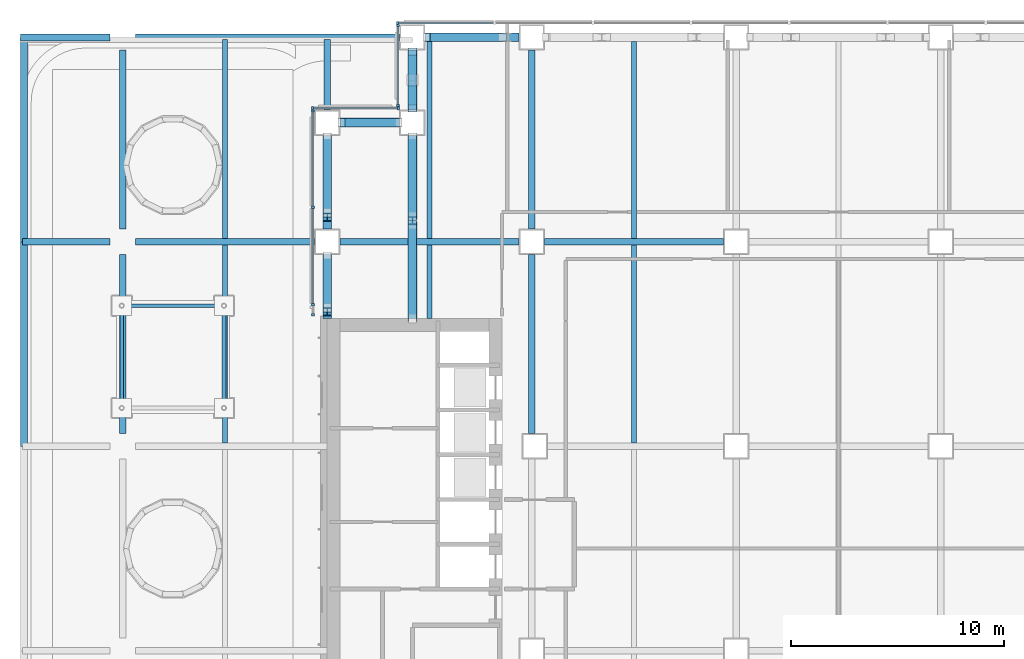
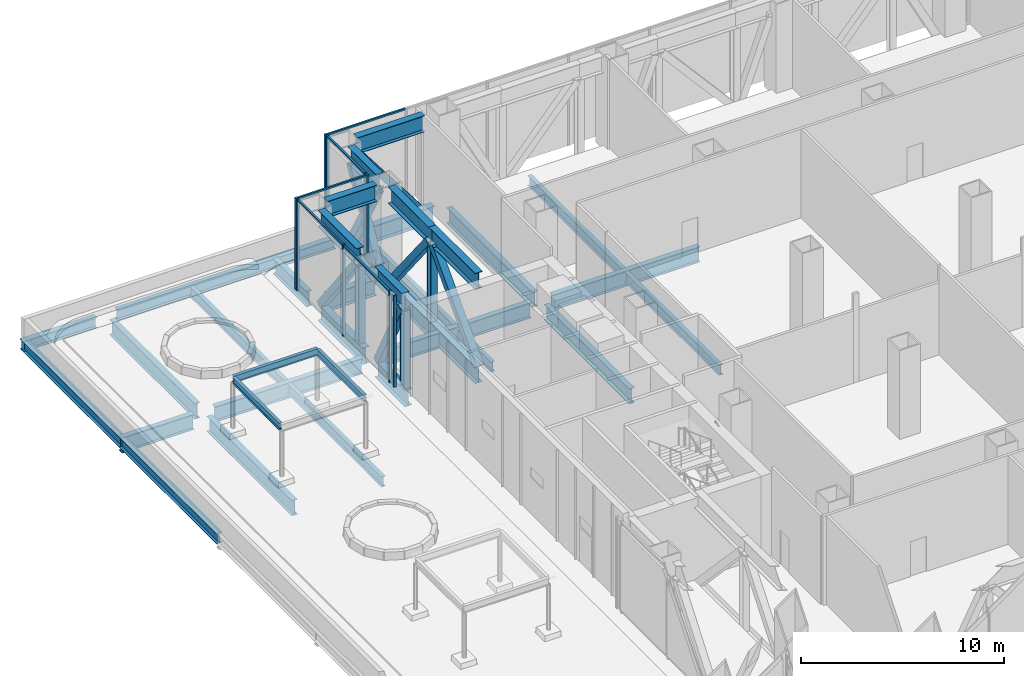
# One storey, part 11 of 39: 39 members, 23 beams, 4 elements without a shape of their own.
"""IFC4 building model written with IfcOpenShell, lengths in metres."""

from ifc_helpers import new_model, si_unit, direction, frame, origin, origin_2d, place, context, subcontext, project, spatial, rectangle, hollow_rectangle, i_section, extrude, material, material_profile, profile_set, type_object, element, aggregate, save


model = new_model("IFC4")

# Units and contexts
model_context = context("Model", 3, precision=1e-05, world=origin(), true_north=direction((0.0, 1.0)))
body_context = subcontext(model_context, "Body", "Model", "MODEL_VIEW")
ifc_project = project(units=[si_unit("LENGTHUNIT", "METRE"), si_unit("AREAUNIT", "SQUARE_METRE"), si_unit("VOLUMEUNIT", "CUBIC_METRE"), si_unit("PLANEANGLEUNIT", "RADIAN"), si_unit("MASSUNIT", "GRAM", prefix="KILO")], contexts=[model_context])

# Site, building, storey
site_placement = place(None, origin())
site = spatial("IfcSite", under=ifc_project, at=site_placement, CompositionType="ELEMENT")
building_placement = place(site_placement, origin())
building = spatial("IfcBuilding", under=site, at=building_placement, Name="Cobrizo Arcos Hotel Tower", CompositionType="ELEMENT")
storey_placement = place(building_placement, frame((0.0, 0.0, 33.5)))
storey = spatial("IfcBuildingStorey", under=building, at=storey_placement, Name="L06", CompositionType="ELEMENT", Elevation=33.5)

# Curtain wall, member
ifc_material_1 = material(Name="Aluminium 6063-T6 anodised bronze", Category="aluminium")
curtain_wall_type = type_object("IfcCurtainWallType", Name="CW-D plant louvre wall", PredefinedType="NOTDEFINED", material=ifc_material_1)
curtain_wall_1_placement = place(storey_placement, origin())
curtain_wall_1 = element("IfcCurtainWall", 1, at=curtain_wall_1_placement, inside=storey, type_object=curtain_wall_type, Name="CW-D L06 N face", PredefinedType="NOTDEFINED")
ifc_material_profile_1 = material_profile(ifc_material_1, rectangle(XDim=0.14990234375, YDim=0.10009765625, at=origin_2d()), Name="CW-D mullion 150x100")
ifc_profile_set_1 = profile_set([ifc_material_profile_1], Name="Aluminium 6063-T6 anodised bronze")
member_type_1 = type_object("IfcMemberType", Name="CW-D mullion 150x100", PredefinedType="MULLION", material=ifc_profile_set_1)
member_1_placement = place(storey_placement, frame((-20.699951171875, 24.675048828125, 0.0), z_axis=(0.0, 0.0, 1.0), x_axis=(0.0, 1.0, 0.0)))
member_1 = element("IfcMember", 2, at=member_1_placement, type_object=member_type_1, Name="CW-D mullion 10", PredefinedType="MULLION", context=body_context, shape_type="SweptSolid", body=[
    extrude(rectangle(XDim=0.14990234375, YDim=0.10009765625, at=origin_2d()), origin(), (0.0, 0.0, 1.0), 5.5),
])

# Curtain wall, members
curtain_wall_2_placement = place(storey_placement, origin())
curtain_wall_2 = element("IfcCurtainWall", 3, at=curtain_wall_2_placement, inside=storey, type_object=curtain_wall_type, Name="CW-D L06 W face", PredefinedType="NOTDEFINED")
member_2_placement = place(storey_placement, frame((-20.675048828125, 24.550048828125, 0.0), z_axis=(0.0, 0.0, 1.0), x_axis=(-1.0, 0.0, 0.0)))
member_2 = element("IfcMember", 4, at=member_2_placement, type_object=member_type_1, Name="CW-D mullion 1", PredefinedType="MULLION", context=body_context, shape_type="SweptSolid", body=[
    extrude(rectangle(XDim=0.14990234375, YDim=0.10009765625, at=origin_2d()), origin(), (0.0, 0.0, 1.0), 5.5),
])
member_3_placement = place(storey_placement, frame((-20.675048828125, 20.800048828125, 0.0), z_axis=(0.0, 0.0, 1.0), x_axis=(-1.0, 0.0, 0.0)))
member_3 = element("IfcMember", 5, at=member_3_placement, type_object=member_type_1, Name="CW-D mullion 2", PredefinedType="MULLION", context=body_context, shape_type="SweptSolid", body=[
    extrude(rectangle(XDim=0.14990234375, YDim=0.10009765625, at=origin_2d()), origin(), (0.0, 0.0, 1.0), 5.5),
])

curtain_wall_3_placement = place(storey_placement, origin())
curtain_wall_3 = element("IfcCurtainWall", 6, at=curtain_wall_3_placement, inside=storey, type_object=curtain_wall_type, Name="CW-D L06 N face", PredefinedType="NOTDEFINED")
member_4_placement = place(storey_placement, frame((-20.64990234375, 20.675048828125, 0.0), z_axis=(0.0, 0.0, 1.0), x_axis=(0.0, 1.0, 0.0)))
member_4 = element("IfcMember", 7, at=member_4_placement, type_object=member_type_1, Name="CW-D mullion 1", PredefinedType="MULLION", context=body_context, shape_type="SweptSolid", body=[
    extrude(rectangle(XDim=0.14990234375, YDim=0.10009765625, at=origin_2d()), origin(), (0.0, 0.0, 1.0), 5.5),
])
member_5_placement = place(storey_placement, frame((-24.699951171875, 20.675048828125, 0.0), z_axis=(0.0, 0.0, 1.0), x_axis=(0.0, 1.0, 0.0)))
member_5 = element("IfcMember", 8, at=member_5_placement, type_object=member_type_1, Name="CW-D mullion 2", PredefinedType="MULLION", context=body_context, shape_type="SweptSolid", body=[
    extrude(rectangle(XDim=0.14990234375, YDim=0.10009765625, at=origin_2d()), origin(), (0.0, 0.0, 1.0), 5.5),
])

curtain_wall_4_placement = place(storey_placement, origin())
curtain_wall_4 = element("IfcCurtainWall", 9, at=curtain_wall_4_placement, inside=storey, type_object=curtain_wall_type, Name="CW-D L06 W face", PredefinedType="NOTDEFINED")
member_6_placement = place(storey_placement, frame((-24.675048828125, 20.550048828125, 0.0), z_axis=(0.0, 0.0, 1.0), x_axis=(-1.0, 0.0, 0.0)))
member_6 = element("IfcMember", 10, at=member_6_placement, type_object=member_type_1, Name="CW-D mullion 1", PredefinedType="MULLION", context=body_context, shape_type="SweptSolid", body=[
    extrude(rectangle(XDim=0.14990234375, YDim=0.10009765625, at=origin_2d()), origin(), (0.0, 0.0, 1.0), 5.5),
])
member_7_placement = place(storey_placement, frame((-24.675048828125, 16.022216796875, 0.0), z_axis=(0.0, 0.0, 1.0), x_axis=(-1.0, 0.0, 0.0)))
member_7 = element("IfcMember", 11, at=member_7_placement, type_object=member_type_1, Name="CW-D mullion 2", PredefinedType="MULLION", context=body_context, shape_type="SweptSolid", body=[
    extrude(rectangle(XDim=0.14990234375, YDim=0.10009765625, at=origin_2d()), origin(), (0.0, 0.0, 1.0), 5.5),
])
member_8_placement = place(storey_placement, frame((-24.675048828125, 11.4443359375, 0.0), z_axis=(0.0, 0.0, 1.0), x_axis=(-1.0, 0.0, 0.0)))
member_8 = element("IfcMember", 12, at=member_8_placement, type_object=member_type_1, Name="CW-D mullion 3", PredefinedType="MULLION", context=body_context, shape_type="SweptSolid", body=[
    extrude(rectangle(XDim=0.14990234375, YDim=0.10009765625, at=origin_2d()), origin(), (0.0, 0.0, 1.0), 5.5),
])
member_9_placement = place(storey_placement, frame((-24.675048828125, 10.974365234375, 0.0), z_axis=(0.0, 0.0, 1.0), x_axis=(-1.0, 0.0, 0.0)))
member_9 = element("IfcMember", 13, at=member_9_placement, type_object=member_type_1, Name="CW-D mullion 4", PredefinedType="MULLION", context=body_context, shape_type="SweptSolid", body=[
    extrude(rectangle(XDim=0.14990234375, YDim=0.10009765625, at=origin_2d()), origin(), (0.0, 0.0, 1.0), 5.5),
])

# Member
ifc_material_profile_2 = material_profile(ifc_material_1, rectangle(XDim=0.10009765625, YDim=0.10009765625, at=origin_2d()), Name="CW-D transom 100x100")
ifc_profile_set_2 = profile_set([ifc_material_profile_2], Name="Aluminium 6063-T6 anodised bronze")
member_type_2 = type_object("IfcMemberType", Name="CW-D transom 100x100", PredefinedType="USERDEFINED", material=ifc_profile_set_2)
member_10_placement = place(storey_placement, frame((-16.18896484375, 24.675048828125, 5.449951171875), z_axis=(-1.0, 0.0, 0.0), x_axis=(0.0, -1.0, 0.0)))
member_10 = element("IfcMember", 14, at=member_10_placement, type_object=member_type_2, Name="CW-D transom 350", ObjectType="TRANSOM", PredefinedType="USERDEFINED", context=body_context, shape_type="SweptSolid", body=[
    extrude(rectangle(XDim=0.10009765625, YDim=0.10009765625, at=origin_2d()), origin(), (0.0, 0.0, 1.0), 4.4609375),
])

aggregate(curtain_wall_1, [member_1, member_10])

member_11_placement = place(storey_placement, frame((-20.675048828125, 24.5, 5.449951171875), z_axis=(0.0, -1.0, 0.0), x_axis=(1.0, 0.0, 0.0)))
member_11 = element("IfcMember", 15, at=member_11_placement, type_object=member_type_2, Name="CW-D transom 351", ObjectType="TRANSOM", PredefinedType="USERDEFINED", context=body_context, shape_type="SweptSolid", body=[
    extrude(rectangle(XDim=0.10009765625, YDim=0.10009765625, at=origin_2d()), origin(), (0.0, 0.0, 1.0), 3.64990234375),
])

aggregate(curtain_wall_2, [member_2, member_3, member_11])

member_12_placement = place(storey_placement, frame((-20.699951171875, 20.675048828125, 5.449951171875), z_axis=(-1.0, 0.0, 0.0), x_axis=(0.0, -1.0, 0.0)))
member_12 = element("IfcMember", 16, at=member_12_placement, type_object=member_type_2, Name="CW-D transom 352", ObjectType="TRANSOM", PredefinedType="USERDEFINED", context=body_context, shape_type="SweptSolid", body=[
    extrude(rectangle(XDim=0.10009765625, YDim=0.10009765625, at=origin_2d()), origin(), (0.0, 0.0, 1.0), 3.949951171875),
])

aggregate(curtain_wall_3, [member_4, member_5, member_12])

member_13_placement = place(storey_placement, frame((-24.675048828125, 20.5, 5.449951171875), z_axis=(0.0, -1.0, 0.0), x_axis=(1.0, 0.0, 0.0)))
member_13 = element("IfcMember", 17, at=member_13_placement, type_object=member_type_2, Name="CW-D transom 353", ObjectType="TRANSOM", PredefinedType="USERDEFINED", context=body_context, shape_type="SweptSolid", body=[
    extrude(rectangle(XDim=0.10009765625, YDim=0.10009765625, at=origin_2d()), origin(), (0.0, 0.0, 1.0), 4.427734375),
])

member_14_placement = place(storey_placement, frame((-24.675048828125, 15.97216796875, 5.449951171875), z_axis=(0.0, -1.0, 0.0), x_axis=(1.0, 0.0, 0.0)))
member_14 = element("IfcMember", 18, at=member_14_placement, type_object=member_type_2, Name="CW-D transom 354", ObjectType="TRANSOM", PredefinedType="USERDEFINED", context=body_context, shape_type="SweptSolid", body=[
    extrude(rectangle(XDim=0.10009765625, YDim=0.10009765625, at=origin_2d()), origin(), (0.0, 0.0, 1.0), 4.477783203125),
])

aggregate(curtain_wall_4, [member_6, member_7, member_8, member_9, member_13, member_14])

# Members
ifc_material_2 = material(Name="Steel ASTM A500 Grade C", Category="steel")
ifc_material_profile_3 = material_profile(ifc_material_2, hollow_rectangle(XDim=0.406494140625, YDim=0.406494140625, WallThickness=0.014892578125, at=origin_2d()), Name="HSS16X16X5/8")
ifc_profile_set_3 = profile_set([ifc_material_profile_3], Name="Steel ASTM A500 Grade C")
member_type_3 = type_object("IfcMemberType", Name="HSS16X16X5/8 truss diagonal", PredefinedType="BRACE", material=ifc_profile_set_3)
member_15_placement = place(storey_placement, frame((-15.756103515625, 24.0, -0.300048828125), z_axis=(-0.607544335185, 0.0, 0.794285767709), x_axis=(0.0, -1.0, 0.0)))
element("IfcMember", 19, at=member_15_placement, inside=storey, type_object=member_type_3, Name="Belt truss diagonal TD1, L06, no. 026", PredefinedType="BRACE", context=body_context, shape_type="SweptSolid", body=[
    extrude(hollow_rectangle(XDim=0.406494140625, YDim=0.406494140625, WallThickness=0.014892578125, at=origin_2d()), origin(), (0.0, 0.0, 1.0), 5.8662109375),
])
for number, where, z_axis, x_axis, name in (
    (20, (-20.0, 23.320068359375, -0.300048828125), (0.0, -0.492983815895, 0.870038480336), (1.0, 0.0, 0.0), "Belt truss diagonal TD1, L06, no. 027"),
    (21, (-20.679931640625, 20.0, -0.300048828125), (-0.492983815895, 0.0, 0.870038480336), (0.0, -1.0, 0.0), "Belt truss diagonal TD1, L06, no. 028"),
):
    element("IfcMember", number, at=place(storey_placement, frame(where, z_axis=z_axis, x_axis=x_axis)), inside=storey, type_object=member_type_3, Name=name, PredefinedType="BRACE", context=body_context, shape_type="SweptSolid", body=[
        extrude(hollow_rectangle(XDim=0.406494140625, YDim=0.406494140625, WallThickness=0.014892578125, at=origin_2d()), origin(), (0.0, 0.0, 1.0), 5.35546875),
    ])
member_16_placement = place(storey_placement, frame((-24.0, 19.320068359375, -0.300048828125), z_axis=(0.0, -0.607544335185, 0.794285767709), x_axis=(1.0, 0.0, 0.0)))
element("IfcMember", 22, at=member_16_placement, inside=storey, type_object=member_type_3, Name="Belt truss diagonal TD1, L06, no. 029", PredefinedType="BRACE", context=body_context, shape_type="SweptSolid", body=[
    extrude(hollow_rectangle(XDim=0.406494140625, YDim=0.406494140625, WallThickness=0.014892578125, at=origin_2d()), origin(), (0.0, 0.0, 1.0), 5.8662109375),
])
member_17_placement = place(storey_placement, frame((-24.0, 13.719970703125, -0.300048828125), z_axis=(0.0, -0.45925576927, 0.888304079914), x_axis=(1.0, 0.0, 0.0)))
element("IfcMember", 23, at=member_17_placement, inside=storey, type_object=member_type_3, Name="Belt truss diagonal TD1, L06, no. 030", PredefinedType="BRACE", context=body_context, shape_type="SweptSolid", body=[
    extrude(hollow_rectangle(XDim=0.406494140625, YDim=0.406494140625, WallThickness=0.014892578125, at=origin_2d()), origin(), (0.0, 0.0, 1.0), 5.245361328125),
])
member_18_placement = place(storey_placement, frame((-20.0, 10.800048828125, -0.300048828125), z_axis=(0.0, 0.68656871731, 0.72706491898), x_axis=(-1.0, 0.0, 0.0)))
element("IfcMember", 24, at=member_18_placement, inside=storey, type_object=member_type_3, Name="Outrigger diagonal TD1, L06, no. 010", PredefinedType="BRACE", context=body_context, shape_type="SweptSolid", body=[
    extrude(hollow_rectangle(XDim=0.406494140625, YDim=0.406494140625, WallThickness=0.014892578125, at=origin_2d()), origin(), (0.0, 0.0, 1.0), 6.408447265625),
])
member_19_placement = place(storey_placement, frame((-20.0, 15.60009765625, 4.359375), z_axis=(0.0, 0.623920728492, -0.781487635576), x_axis=(-1.0, 0.0, 0.0)))
element("IfcMember", 25, at=member_19_placement, inside=storey, type_object=member_type_3, Name="Outrigger diagonal TD1, L06, no. 011", PredefinedType="BRACE", context=body_context, shape_type="SweptSolid", body=[
    extrude(hollow_rectangle(XDim=0.406494140625, YDim=0.406494140625, WallThickness=0.014892578125, at=origin_2d()), origin(), (0.0, 0.0, 1.0), 5.962158203125),
])
for number, where, z_axis, x_axis, name in (
    (26, (-20.0, 20.679931640625, -0.300048828125), (0.0, 0.492975174057, 0.870043376944), (-1.0, 0.0, 0.0), "Outrigger diagonal TD1, L06, no. 012"),
    (27, (-20.0, 22.10205078125, 2.209716796875), (0.0, 0.492975174057, 0.870043376944), (-1.0, 0.0, 0.0), "Outrigger diagonal TD1, L06, no. 012b"),
):
    element("IfcMember", number, at=place(storey_placement, frame(where, z_axis=z_axis, x_axis=x_axis)), inside=storey, type_object=member_type_3, Name=name, PredefinedType="BRACE", context=body_context, shape_type="SweptSolid", body=[
        extrude(hollow_rectangle(XDim=0.406494140625, YDim=0.406494140625, WallThickness=0.014892578125, at=origin_2d()), origin(), (0.0, 0.0, 1.0), 2.470703125),
    ])
ifc_material_3 = material(Name="Steel ASTM A992 Grade 50", Category="steel")
ifc_material_profile_4 = material_profile(ifc_material_3, i_section(OverallWidth=0.373291015625, OverallDepth=0.373291015625, WebThickness=0.016357421875, FlangeThickness=0.026123046875, at=origin_2d()), Name="W14X132")
ifc_profile_set_4 = profile_set([ifc_material_profile_4], Name="Steel ASTM A992 Grade 50")
member_type_4 = type_object("IfcMemberType", Name="W14X132 truss post", PredefinedType="POST", material=ifc_profile_set_4)
for number, where, z_axis, x_axis, name in (
    (28, (-24.0, 15.555908203125, -0.300048828125), (0.0, 0.0, 1.0), (1.0, 0.0, 0.0), "Truss post TP1, L06, no. 021"),
    (29, (-24.0, 11.111083984375, -0.300048828125), (0.0, 0.0, 1.0), (1.0, 0.0, 0.0), "Truss post TP1, L06, no. 022"),
    (30, (-20.0, 15.39990234375, -0.300048828125), (0.0, 0.0, 1.0), (1.0, 0.0, 0.0), "Truss post TP1, L06, no. 028"),
):
    element("IfcMember", number, at=place(storey_placement, frame(where, z_axis=z_axis, x_axis=x_axis)), inside=storey, type_object=member_type_4, Name=name, PredefinedType="POST", context=body_context, shape_type="SweptSolid", body=[
        extrude(i_section(OverallWidth=0.373291015625, OverallDepth=0.373291015625, WebThickness=0.016357421875, FlangeThickness=0.026123046875, at=origin_2d()), origin(), (0.0, 0.0, 1.0), 4.659423828125),
    ])

# Beams
ifc_material_profile_5 = material_profile(ifc_material_3, i_section(OverallWidth=0.177734375, OverallDepth=0.406494140625, WebThickness=0.0078125, FlangeThickness=0.0126953125, at=origin_2d()), Name="W16X40")
ifc_profile_set_5 = profile_set([ifc_material_profile_5], Name="Steel ASTM A992 Grade 50")
beam_type_1 = type_object("IfcBeamType", Name="W16X40 pavilion beam", PredefinedType="BEAM", material=ifc_profile_set_5)
beam_1_placement = place(storey_placement, frame((-28.85009765625, 6.699951171875, 3.353271484375), z_axis=(0.0, 1.0, 0.0), x_axis=(-1.0, 0.0, 0.0)))
element("IfcBeam", 31, at=beam_1_placement, inside=storey, type_object=beam_type_1, Name="Pavilion 2 beam 2", PredefinedType="BEAM", context=body_context, shape_type="SweptSolid", body=[
    extrude(i_section(OverallWidth=0.177734375, OverallDepth=0.406494140625, WebThickness=0.0078125, FlangeThickness=0.0126953125, at=origin_2d()), origin(), (0.0, 0.0, 1.0), 4.60009765625),
])
beam_2_placement = place(storey_placement, frame((-28.85009765625, 11.39990234375, 3.353271484375), z_axis=(-1.0, 0.0, 0.0), x_axis=(0.0, -1.0, 0.0)))
element("IfcBeam", 32, at=beam_2_placement, inside=storey, type_object=beam_type_1, Name="Pavilion 2 beam 3", PredefinedType="BEAM", context=body_context, shape_type="SweptSolid", body=[
    extrude(i_section(OverallWidth=0.177734375, OverallDepth=0.406494140625, WebThickness=0.0078125, FlangeThickness=0.0126953125, at=origin_2d()), origin(), (0.0, 0.0, 1.0), 4.7998046875),
])
beam_3_placement = place(storey_placement, frame((-33.64990234375, 11.300048828125, 3.353271484375), z_axis=(0.0, -1.0, 0.0), x_axis=(1.0, 0.0, 0.0)))
element("IfcBeam", 33, at=beam_3_placement, inside=storey, type_object=beam_type_1, Name="Pavilion 2 beam 4", PredefinedType="BEAM", context=body_context, shape_type="SweptSolid", body=[
    extrude(i_section(OverallWidth=0.177734375, OverallDepth=0.406494140625, WebThickness=0.0078125, FlangeThickness=0.0126953125, at=origin_2d()), origin(), (0.0, 0.0, 1.0), 4.60009765625),
])
ifc_material_profile_6 = material_profile(ifc_material_3, i_section(OverallWidth=0.32763671875, OverallDepth=0.622314453125, WebThickness=0.015380859375, FlangeThickness=0.0244140625, at=origin_2d()), Name="W24X131")
ifc_profile_set_6 = profile_set([ifc_material_profile_6], Name="Steel ASTM A992 Grade 50")
beam_type_2 = type_object("IfcBeamType", Name="W24X131 edge beam", PredefinedType="BEAM", material=ifc_profile_set_6)
beam_4_placement = place(storey_placement, frame((-38.39990234375, 24.0, -0.611083984375), z_axis=(1.0, 0.0, 0.0), x_axis=(0.0, 1.0, 0.0)))
element("IfcBeam", 34, at=beam_4_placement, inside=storey, type_object=beam_type_2, Name="Edge beam EB1, L06, no. 001", PredefinedType="BEAM", context=body_context, shape_type="SweptSolid", body=[
    extrude(i_section(OverallWidth=0.32763671875, OverallDepth=0.622314453125, WebThickness=0.015380859375, FlangeThickness=0.0244140625, at=origin_2d()), origin(), (0.0, 0.0, 1.0), 4.199951171875),
])
beam_5_placement = place(storey_placement, frame((-38.236083984375, 4.800048828125, -0.611083984375), z_axis=(0.0, 1.0, 0.0), x_axis=(-1.0, 0.0, 0.0)))
element("IfcBeam", 35, at=beam_5_placement, inside=storey, type_object=beam_type_2, Name="Edge beam EB1, L06, no. 013", PredefinedType="BEAM", context=body_context, shape_type="SweptSolid", body=[
    extrude(i_section(OverallWidth=0.32763671875, OverallDepth=0.622314453125, WebThickness=0.015380859375, FlangeThickness=0.0244140625, at=origin_2d()), origin(), (0.0, 0.0, 1.0), 9.599853515625),
])
beam_6_placement = place(storey_placement, frame((-38.236083984375, 14.39990234375, -0.611083984375), z_axis=(0.0, 1.0, 0.0), x_axis=(-1.0, 0.0, 0.0)))
element("IfcBeam", 36, at=beam_6_placement, inside=storey, type_object=beam_type_2, Name="Edge beam EB1, L06, no. 014", PredefinedType="BEAM", context=body_context, shape_type="SweptSolid", body=[
    extrude(i_section(OverallWidth=0.32763671875, OverallDepth=0.622314453125, WebThickness=0.015380859375, FlangeThickness=0.0244140625, at=origin_2d()), origin(), (0.0, 0.0, 1.0), 9.60009765625),
])
ifc_material_profile_7 = material_profile(ifc_material_3, i_section(OverallWidth=0.32763671875, OverallDepth=0.622314453125, WebThickness=0.015380859375, FlangeThickness=0.0244140625, at=origin_2d()), Name="W24X131")
ifc_profile_set_7 = profile_set([ifc_material_profile_7], Name="Steel ASTM A992 Grade 50")
beam_type_3 = type_object("IfcBeamType", Name="W24X131 spandrel", PredefinedType="SPANDREL", material=ifc_profile_set_7)
beam_7_placement = place(storey_placement, frame((-33.0, 24.0, -0.611083984375), z_axis=(1.0, 0.0, 0.0), x_axis=(0.0, 1.0, 0.0)))
element("IfcBeam", 37, at=beam_7_placement, inside=storey, type_object=beam_type_3, Name="Spandrel beam W24X131, L06, no. 001", PredefinedType="SPANDREL", context=body_context, shape_type="SweptSolid", body=[
    extrude(i_section(OverallWidth=0.32763671875, OverallDepth=0.622314453125, WebThickness=0.015380859375, FlangeThickness=0.0244140625, at=origin_2d()), origin(), (0.0, 0.0, 1.0), 12.39990234375),
])
ifc_material_profile_8 = material_profile(ifc_material_3, i_section(OverallWidth=0.23046875, OverallDepth=0.6171875, WebThickness=0.01318359375, FlangeThickness=0.022216796875, at=origin_2d()), Name="W24X94")
ifc_profile_set_8 = profile_set([ifc_material_profile_8], Name="Steel ASTM A992 Grade 50")
beam_type_4 = type_object("IfcBeamType", Name="W24X94 podium joist", PredefinedType="JOIST", material=ifc_profile_set_8)
beam_8_placement = place(storey_placement, frame((-28.800048828125, 4.95361328125, -0.608642578125), z_axis=(0.0, 1.0, 0.0), x_axis=(-1.0, 0.0, 0.0)))
element("IfcBeam", 38, at=beam_8_placement, inside=storey, type_object=beam_type_4, Name="Podium joist PJ1, L06, no. 004", PredefinedType="JOIST", context=body_context, shape_type="SweptSolid", body=[
    extrude(i_section(OverallWidth=0.23046875, OverallDepth=0.6171875, WebThickness=0.01318359375, FlangeThickness=0.022216796875, at=origin_2d()), origin(), (0.0, 0.0, 1.0), 9.292724609375),
])
beam_9_placement = place(storey_placement, frame((-28.800048828125, 14.5537109375, -0.608642578125), z_axis=(0.0, 1.0, 0.0), x_axis=(-1.0, 0.0, 0.0)))
element("IfcBeam", 39, at=beam_9_placement, inside=storey, type_object=beam_type_4, Name="Podium joist PJ1, L06, no. 005", PredefinedType="JOIST", context=body_context, shape_type="SweptSolid", body=[
    extrude(i_section(OverallWidth=0.23046875, OverallDepth=0.6171875, WebThickness=0.01318359375, FlangeThickness=0.022216796875, at=origin_2d()), origin(), (0.0, 0.0, 1.0), 9.356201171875),
])
beam_10_placement = place(storey_placement, frame((-19.199951171875, 10.81005859375, -0.608642578125), z_axis=(0.0, 1.0, 0.0), x_axis=(-1.0, 0.0, 0.0)))
element("IfcBeam", 40, at=beam_10_placement, inside=storey, type_object=beam_type_4, Name="Podium joist PJ1, L06, no. 008", PredefinedType="JOIST", context=body_context, shape_type="SweptSolid", body=[
    extrude(i_section(OverallWidth=0.23046875, OverallDepth=0.6171875, WebThickness=0.01318359375, FlangeThickness=0.022216796875, at=origin_2d()), origin(), (0.0, 0.0, 1.0), 3.436279296875),
])
beam_11_placement = place(storey_placement, frame((-19.199951171875, 14.5537109375, -0.608642578125), z_axis=(0.0, 1.0, 0.0), x_axis=(-1.0, 0.0, 0.0)))
element("IfcBeam", 41, at=beam_11_placement, inside=storey, type_object=beam_type_4, Name="Podium joist PJ1, L06, no. 009", PredefinedType="JOIST", context=body_context, shape_type="SweptSolid", body=[
    extrude(i_section(OverallWidth=0.23046875, OverallDepth=0.6171875, WebThickness=0.01318359375, FlangeThickness=0.022216796875, at=origin_2d()), origin(), (0.0, 0.0, 1.0), 9.245849609375),
])
beam_12_placement = place(storey_placement, frame((-9.60009765625, 4.95361328125, -0.608642578125), z_axis=(0.0, 1.0, 0.0), x_axis=(-1.0, 0.0, 0.0)))
element("IfcBeam", 42, at=beam_12_placement, inside=storey, type_object=beam_type_4, Name="Podium joist PJ1, L06, no. 013", PredefinedType="JOIST", context=body_context, shape_type="SweptSolid", body=[
    extrude(i_section(OverallWidth=0.23046875, OverallDepth=0.6171875, WebThickness=0.01318359375, FlangeThickness=0.022216796875, at=origin_2d()), origin(), (0.0, 0.0, 1.0), 9.292724609375),
])
beam_13_placement = place(storey_placement, frame((-9.60009765625, 14.5537109375, -0.608642578125), z_axis=(0.0, 1.0, 0.0), x_axis=(-1.0, 0.0, 0.0)))
element("IfcBeam", 43, at=beam_13_placement, inside=storey, type_object=beam_type_4, Name="Podium joist PJ1, L06, no. 014", PredefinedType="JOIST", context=body_context, shape_type="SweptSolid", body=[
    extrude(i_section(OverallWidth=0.23046875, OverallDepth=0.6171875, WebThickness=0.01318359375, FlangeThickness=0.022216796875, at=origin_2d()), origin(), (0.0, 0.0, 1.0), 9.245849609375),
])
ifc_material_profile_9 = material_profile(ifc_material_3, i_section(OverallWidth=0.307373046875, OverallDepth=0.927001953125, WebThickness=0.01953125, FlangeThickness=0.031982421875, at=origin_2d()), Name="W36X194")
ifc_profile_set_9 = profile_set([ifc_material_profile_9], Name="Steel ASTM A992 Grade 50")
beam_type_5 = type_object("IfcBeamType", Name="W36X194 podium girder", PredefinedType="BEAM", material=ifc_profile_set_9)
beam_14_placement = place(storey_placement, frame((-38.31005859375, 14.39990234375, -0.763427734375), z_axis=(1.0, 0.0, 0.0), x_axis=(0.0, 1.0, 0.0)))
element("IfcBeam", 44, at=beam_14_placement, inside=storey, type_object=beam_type_5, Name="Podium girder PG1, L06, no. 028", PredefinedType="BEAM", context=body_context, shape_type="SweptSolid", body=[
    extrude(i_section(OverallWidth=0.307373046875, OverallDepth=0.927001953125, WebThickness=0.01953125, FlangeThickness=0.031982421875, at=origin_2d()), origin(), (0.0, 0.0, 1.0), 4.110107421875),
])
beam_15_placement = place(storey_placement, frame((-33.0, 14.39990234375, -0.763427734375), z_axis=(1.0, 0.0, 0.0), x_axis=(0.0, 1.0, 0.0)))
element("IfcBeam", 45, at=beam_15_placement, inside=storey, type_object=beam_type_5, Name="Podium girder PG1, L06, no. 029", PredefinedType="BEAM", context=body_context, shape_type="SweptSolid", body=[
    extrude(i_section(OverallWidth=0.307373046875, OverallDepth=0.927001953125, WebThickness=0.01953125, FlangeThickness=0.031982421875, at=origin_2d()), origin(), (0.0, 0.0, 1.0), 8.39990234375),
])
beam_16_placement = place(storey_placement, frame((-23.39990234375, 14.39990234375, -0.763427734375), z_axis=(1.0, 0.0, 0.0), x_axis=(0.0, 1.0, 0.0)))
element("IfcBeam", 46, at=beam_16_placement, inside=storey, type_object=beam_type_5, Name="Podium girder PG1, L06, no. 030", PredefinedType="BEAM", context=body_context, shape_type="SweptSolid", body=[
    extrude(i_section(OverallWidth=0.307373046875, OverallDepth=0.927001953125, WebThickness=0.01953125, FlangeThickness=0.031982421875, at=origin_2d()), origin(), (0.0, 0.0, 1.0), 3.199462890625),
])
beam_17_placement = place(storey_placement, frame((-19.799560546875, 14.39990234375, -0.763427734375), z_axis=(1.0, 0.0, 0.0), x_axis=(0.0, 1.0, 0.0)))
element("IfcBeam", 47, at=beam_17_placement, inside=storey, type_object=beam_type_5, Name="Podium girder PG1, L06, no. 031", PredefinedType="BEAM", context=body_context, shape_type="SweptSolid", body=[
    extrude(i_section(OverallWidth=0.307373046875, OverallDepth=0.927001953125, WebThickness=0.01953125, FlangeThickness=0.031982421875, at=origin_2d()), origin(), (0.0, 0.0, 1.0), 4.799560546875),
])
for number, where, z_axis, x_axis, name in (
    (48, (-13.800048828125, 14.39990234375, -0.763427734375), (1.0, 0.0, 0.0), (0.0, 1.0, 0.0), "Podium girder PG1, L06, no. 032"),
    (49, (-33.60009765625, 5.39990234375, -0.763427734375), (0.0, 1.0, 0.0), (-1.0, 0.0, 0.0), "Podium girder PG1, L06, no. 042"),
):
    element("IfcBeam", number, at=place(storey_placement, frame(where, z_axis=z_axis, x_axis=x_axis)), inside=storey, type_object=beam_type_5, Name=name, PredefinedType="BEAM", context=body_context, shape_type="SweptSolid", body=[
        extrude(i_section(OverallWidth=0.307373046875, OverallDepth=0.927001953125, WebThickness=0.01953125, FlangeThickness=0.031982421875, at=origin_2d()), origin(), (0.0, 0.0, 1.0), 8.400146484375),
    ])
beam_18_placement = place(storey_placement, frame((-33.60009765625, 15.0, -0.763427734375), z_axis=(0.0, 1.0, 0.0), x_axis=(-1.0, 0.0, 0.0)))
element("IfcBeam", 50, at=beam_18_placement, inside=storey, type_object=beam_type_5, Name="Podium girder PG1, L06, no. 043", PredefinedType="BEAM", context=body_context, shape_type="SweptSolid", body=[
    extrude(i_section(OverallWidth=0.307373046875, OverallDepth=0.927001953125, WebThickness=0.01953125, FlangeThickness=0.031982421875, at=origin_2d()), origin(), (0.0, 0.0, 1.0), 8.39990234375),
])
beam_19_placement = place(storey_placement, frame((-24.0, 20.60009765625, -0.763427734375), z_axis=(0.0, 1.0, 0.0), x_axis=(-1.0, 0.0, 0.0)))
element("IfcBeam", 51, at=beam_19_placement, inside=storey, type_object=beam_type_5, Name="Podium girder PG1, L06, no. 045", PredefinedType="BEAM", context=body_context, shape_type="SweptSolid", body=[
    extrude(i_section(OverallWidth=0.307373046875, OverallDepth=0.927001953125, WebThickness=0.01953125, FlangeThickness=0.031982421875, at=origin_2d()), origin(), (0.0, 0.0, 1.0), 3.309814453125),
])
beam_20_placement = place(storey_placement, frame((-14.39990234375, 5.39990234375, -0.763427734375), z_axis=(0.0, 1.0, 0.0), x_axis=(-1.0, 0.0, 0.0)))
element("IfcBeam", 52, at=beam_20_placement, inside=storey, type_object=beam_type_5, Name="Podium girder PG1, L06, no. 049", PredefinedType="BEAM", context=body_context, shape_type="SweptSolid", body=[
    extrude(i_section(OverallWidth=0.307373046875, OverallDepth=0.927001953125, WebThickness=0.01953125, FlangeThickness=0.031982421875, at=origin_2d()), origin(), (0.0, 0.0, 1.0), 8.400146484375),
])
beam_21_placement = place(storey_placement, frame((-14.39990234375, 15.0, -0.763427734375), z_axis=(0.0, 1.0, 0.0), x_axis=(-1.0, 0.0, 0.0)))
element("IfcBeam", 53, at=beam_21_placement, inside=storey, type_object=beam_type_5, Name="Podium girder PG1, L06, no. 050", PredefinedType="BEAM", context=body_context, shape_type="SweptSolid", body=[
    extrude(i_section(OverallWidth=0.307373046875, OverallDepth=0.927001953125, WebThickness=0.01953125, FlangeThickness=0.031982421875, at=origin_2d()), origin(), (0.0, 0.0, 1.0), 8.39990234375),
])

# Members
ifc_material_profile_10 = material_profile(ifc_material_3, i_section(OverallWidth=0.4013671875, OverallDepth=0.990478515625, WebThickness=0.0166015625, FlangeThickness=0.025390625, at=origin_2d()), Name="W40X215")
ifc_profile_set_10 = profile_set([ifc_material_profile_10], Name="Steel ASTM A992 Grade 50")
member_type_5 = type_object("IfcMemberType", Name="W40X215 belt truss chord", PredefinedType="CHORD", material=ifc_profile_set_10)
member_20_placement = place(storey_placement, frame((-15.0, 24.0, -0.79541015625), z_axis=(-1.0, 0.0, 0.0), x_axis=(0.0, -1.0, 0.0)))
element("IfcMember", 54, at=member_20_placement, inside=storey, type_object=member_type_5, Name="Belt truss bottom chord TC1, L06, no. 018", PredefinedType="CHORD", context=body_context, shape_type="SweptSolid", body=[
    extrude(i_section(OverallWidth=0.4013671875, OverallDepth=0.990478515625, WebThickness=0.0166015625, FlangeThickness=0.025390625, at=origin_2d()), origin(), (0.0, 0.0, 1.0), 4.39990234375),
])
member_21_placement = place(storey_placement, frame((-15.555908203125, 24.0, 4.854736328125), z_axis=(-1.0, 0.0, 0.0), x_axis=(0.0, -1.0, 0.0)))
element("IfcMember", 55, at=member_21_placement, inside=storey, type_object=member_type_5, Name="Belt truss top chord TC1, L06, no. 030", PredefinedType="CHORD", context=body_context, shape_type="SweptSolid", body=[
    extrude(i_section(OverallWidth=0.4013671875, OverallDepth=0.990478515625, WebThickness=0.0166015625, FlangeThickness=0.025390625, at=origin_2d()), origin(), (0.0, 0.0, 1.0), 3.843994140625),
])
for number, where, z_axis, x_axis, name in (
    (56, (-20.0, 23.39990234375, -0.79541015625), (0.0, -1.0, 0.0), (1.0, 0.0, 0.0), "Belt truss bottom chord TC1, L06, no. 019"),
    (57, (-20.0, 23.39990234375, 4.854736328125), (0.0, -1.0, 0.0), (1.0, 0.0, 0.0), "Belt truss top chord TC1, L06, no. 031"),
    (58, (-20.60009765625, 20.0, -0.79541015625), (-1.0, 0.0, 0.0), (0.0, -1.0, 0.0), "Belt truss bottom chord TC1, L06, no. 020"),
    (59, (-20.60009765625, 20.0, 4.854736328125), (-1.0, 0.0, 0.0), (0.0, -1.0, 0.0), "Belt truss top chord TC1, L06, no. 032"),
):
    element("IfcMember", number, at=place(storey_placement, frame(where, z_axis=z_axis, x_axis=x_axis)), inside=storey, type_object=member_type_5, Name=name, PredefinedType="CHORD", context=body_context, shape_type="SweptSolid", body=[
        extrude(i_section(OverallWidth=0.4013671875, OverallDepth=0.990478515625, WebThickness=0.0166015625, FlangeThickness=0.025390625, at=origin_2d()), origin(), (0.0, 0.0, 1.0), 2.7998046875),
    ])
member_22_placement = place(storey_placement, frame((-24.0, 19.39990234375, -0.79541015625), z_axis=(0.0, -1.0, 0.0), x_axis=(1.0, 0.0, 0.0)))
element("IfcMember", 60, at=member_22_placement, inside=storey, type_object=member_type_5, Name="Belt truss bottom chord TC1, L06, no. 021", PredefinedType="CHORD", context=body_context, shape_type="SweptSolid", body=[
    extrude(i_section(OverallWidth=0.4013671875, OverallDepth=0.990478515625, WebThickness=0.0166015625, FlangeThickness=0.025390625, at=origin_2d()), origin(), (0.0, 0.0, 1.0), 4.39990234375),
])
member_23_placement = place(storey_placement, frame((-24.0, 13.800048828125, -0.79541015625), z_axis=(0.0, -1.0, 0.0), x_axis=(1.0, 0.0, 0.0)))
element("IfcMember", 61, at=member_23_placement, inside=storey, type_object=member_type_5, Name="Belt truss bottom chord TC1, L06, no. 022", PredefinedType="CHORD", context=body_context, shape_type="SweptSolid", body=[
    extrude(i_section(OverallWidth=0.4013671875, OverallDepth=0.990478515625, WebThickness=0.0166015625, FlangeThickness=0.025390625, at=origin_2d()), origin(), (0.0, 0.0, 1.0), 2.9990234375),
])
member_24_placement = place(storey_placement, frame((-24.0, 19.39990234375, 4.854736328125), z_axis=(0.0, -1.0, 0.0), x_axis=(1.0, 0.0, 0.0)))
element("IfcMember", 62, at=member_24_placement, inside=storey, type_object=member_type_5, Name="Belt truss top chord TC1, L06, no. 033", PredefinedType="CHORD", context=body_context, shape_type="SweptSolid", body=[
    extrude(i_section(OverallWidth=0.4013671875, OverallDepth=0.990478515625, WebThickness=0.0166015625, FlangeThickness=0.025390625, at=origin_2d()), origin(), (0.0, 0.0, 1.0), 3.843994140625),
])
member_25_placement = place(storey_placement, frame((-24.0, 13.800048828125, 4.854736328125), z_axis=(0.0, -1.0, 0.0), x_axis=(1.0, 0.0, 0.0)))
element("IfcMember", 63, at=member_25_placement, inside=storey, type_object=member_type_5, Name="Belt truss top chord TC1, L06, no. 034", PredefinedType="CHORD", context=body_context, shape_type="SweptSolid", body=[
    extrude(i_section(OverallWidth=0.4013671875, OverallDepth=0.990478515625, WebThickness=0.0166015625, FlangeThickness=0.025390625, at=origin_2d()), origin(), (0.0, 0.0, 1.0), 2.68896484375),
])
member_26_placement = place(storey_placement, frame((-20.0, 10.800048828125, -0.79541015625), z_axis=(0.0, 1.0, 0.0), x_axis=(-1.0, 0.0, 0.0)))
element("IfcMember", 64, at=member_26_placement, inside=storey, type_object=member_type_5, Name="Outrigger bottom chord TC1, L06, no. 007", PredefinedType="CHORD", context=body_context, shape_type="SweptSolid", body=[
    extrude(i_section(OverallWidth=0.4013671875, OverallDepth=0.990478515625, WebThickness=0.0166015625, FlangeThickness=0.025390625, at=origin_2d()), origin(), (0.0, 0.0, 1.0), 8.599853515625),
])
member_27_placement = place(storey_placement, frame((-20.0, 10.800048828125, 4.854736328125), z_axis=(0.0, 1.0, 0.0), x_axis=(-1.0, 0.0, 0.0)))
element("IfcMember", 65, at=member_27_placement, inside=storey, type_object=member_type_5, Name="Outrigger top chord TC1, L06, no. 010", PredefinedType="CHORD", context=body_context, shape_type="SweptSolid", body=[
    extrude(i_section(OverallWidth=0.4013671875, OverallDepth=0.990478515625, WebThickness=0.0166015625, FlangeThickness=0.025390625, at=origin_2d()), origin(), (0.0, 0.0, 1.0), 4.599853515625),
])
member_28_placement = place(storey_placement, frame((-20.0, 15.39990234375, 4.854736328125), z_axis=(0.0, 1.0, 0.0), x_axis=(-1.0, 0.0, 0.0)))
element("IfcMember", 66, at=member_28_placement, inside=storey, type_object=member_type_5, Name="Outrigger top chord TC1, L06, no. 011", PredefinedType="CHORD", context=body_context, shape_type="SweptSolid", body=[
    extrude(i_section(OverallWidth=0.4013671875, OverallDepth=0.990478515625, WebThickness=0.0166015625, FlangeThickness=0.025390625, at=origin_2d()), origin(), (0.0, 0.0, 1.0), 4.0),
])

save(model, "model.ifc")
